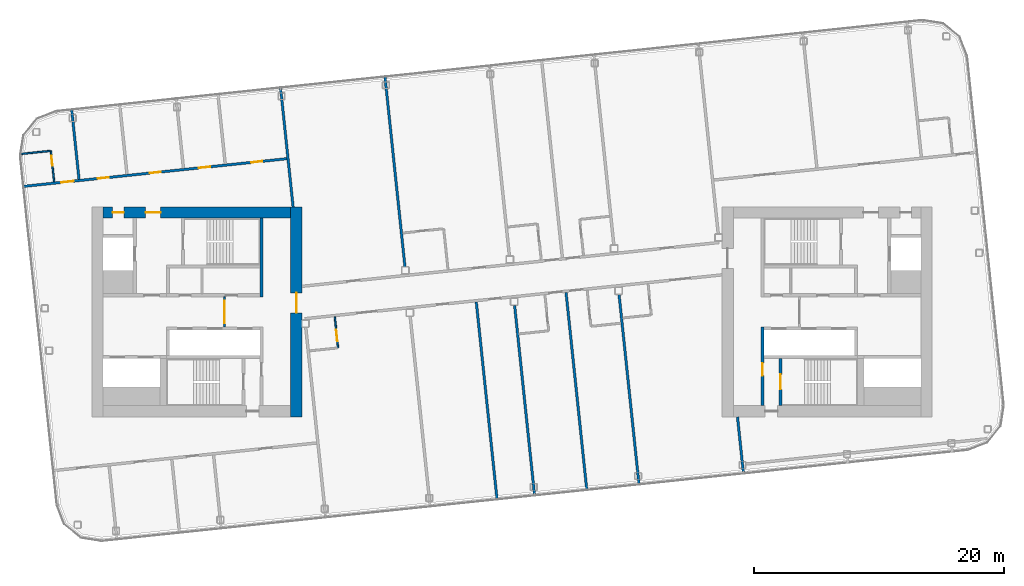
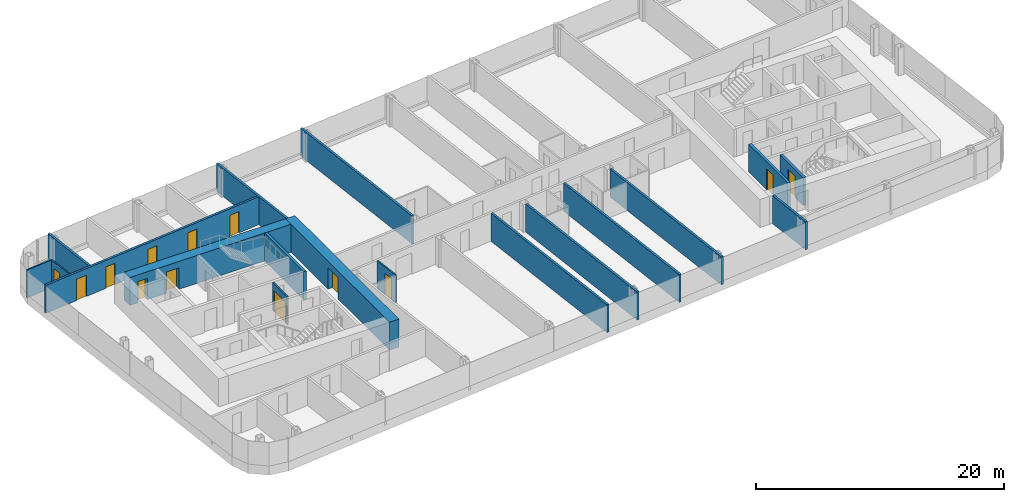
# One storey, part 15 of 27: 18 walls, 13 doors, 13 openings.
"""IFC4 building model written with IfcOpenShell, lengths in metres."""

from ifc_helpers import new_model, si_unit, direction, frame, frame_2d, origin, place, context, subcontext, project, spatial, rectangle, extrude, material, layer, layer_set, type_object, element, fill, save


model = new_model("IFC4")

# Units and contexts
model_context = context("Model", 3, precision=1e-05, world=origin(), true_north=direction((0.0, 1.0)))
body_context = subcontext(model_context, "Body", "Model", "MODEL_VIEW")
ifc_project = project(units=[si_unit("LENGTHUNIT", "METRE"), si_unit("AREAUNIT", "SQUARE_METRE"), si_unit("VOLUMEUNIT", "CUBIC_METRE"), si_unit("PLANEANGLEUNIT", "RADIAN"), si_unit("MASSUNIT", "GRAM", prefix="KILO")], contexts=[model_context])

# Site, building, storey
site_placement = place(None, origin())
site = spatial("IfcSite", under=ifc_project, at=site_placement, CompositionType="ELEMENT")
building_placement = place(site_placement, origin())
building = spatial("IfcBuilding", under=site, at=building_placement, Name="Hakoniwa Tower and Hamabe Station Hall", CompositionType="ELEMENT")
storey_placement = place(building_placement, frame((0.0, 0.0, 248.60009765625)))
storey = spatial("IfcBuildingStorey", under=building, at=storey_placement, Name="L70", CompositionType="ELEMENT", Elevation=248.60009765625)

# Wall
ifc_material_1 = material(Name="Gypsum board partition", Category="gypsum")
ifc_layer_1 = layer(ifc_material_1, 0.125)
ifc_layer_set_1 = layer_set([ifc_layer_1], Name="Bathroom Partition 125")
wall_type_1 = type_object("IfcWallType", Name="Bathroom Partition 125", PredefinedType="PARTITIONING", material=ifc_layer_set_1)
wall_1_placement = place(storey_placement, frame((-39.336181640625, 12.62353515625, 0.0), z_axis=(0.0, 0.0, 1.0), x_axis=(0.994528281662, 0.104467683877, 0.0)))
element("IfcWall", 1, at=wall_1_placement, inside=storey, type_object=wall_type_1, Name="GW-L70-015", PredefinedType="PARTITIONING", context=body_context, shape_type="SweptSolid", body=[
    extrude(rectangle(XDim=2.400146484375, YDim=0.125, at=frame_2d((1.2001953125, 0.0))), origin(), (0.0, 0.0, 1.0), 2.75),
])

# Wall, opening, door
wall_2_placement = place(storey_placement, frame((-36.625732421875, 10.39453125, 0.0), z_axis=(0.0, 0.0, 1.0), x_axis=(-0.104588199498, 0.994515615024, 0.0)))
wall_2 = element("IfcWall", 2, at=wall_2_placement, inside=storey, type_object=wall_type_1, Name="GW-L70-016", PredefinedType="PARTITIONING", context=body_context, shape_type="SweptSolid", body=[
    extrude(rectangle(XDim=2.5, YDim=0.125, at=frame_2d((1.25, 0.0))), origin(), (0.0, 0.0, 1.0), 2.75),
])
opening_1_placement = place(wall_2_placement, frame((1.300048828125, 0.0, 0.0)))
opening_1 = element("IfcOpeningElement", 3, at=opening_1_placement, cuts=wall_2, Name="Opening GD-G5D0-25", PredefinedType="OPENING", context=body_context, shape_type="SweptSolid", body=[
    extrude(rectangle(XDim=0.800048828125, YDim=2.10009765625, at=frame_2d((0.39990234375, 1.050048828125))), frame((0.0, 0.072509765625, 0.0), z_axis=(0.0, -1.0, 0.0), x_axis=(1.0, 0.0, 0.0)), (0.0, 0.0, 1.0), 0.14501953125),
])
ifc_material_2 = material(Name="Timber door leaf", Category="wood")
door_type_1 = type_object("IfcDoorType", Name="Bathroom Door 800", OperationType="SINGLE_SWING_LEFT", PredefinedType="DOOR", material=ifc_material_2)
door_1_placement = place(opening_1_placement, origin())
door_1 = element("IfcDoor", 4, at=door_1_placement, inside=storey, type_object=door_type_1, Name="Door GD-G5D0-25", OperationType="SINGLE_SWING_LEFT", OverallHeight=2.10009765625, OverallWidth=0.800048828125, PredefinedType="DOOR", context=body_context, shape_type="SweptSolid", body=[
    extrude(rectangle(XDim=0.800048828125, YDim=2.10009765625, at=frame_2d((0.39990234375, 1.050048828125))), frame((0.0, 0.02490234375, 0.0), z_axis=(0.0, -1.0, 0.0), x_axis=(1.0, 0.0, 0.0)), (0.0, 0.0, 1.0), 0.050048828125),
])
fill(opening_1, door_1)

ifc_material_3 = material(Name="Gypsum board partition")
ifc_layer_2 = layer(ifc_material_3, 0.14990234375)
ifc_layer_set_2 = layer_set([ifc_layer_2], Name="CORE PARTITION 150 EI 60")
wall_type_2 = type_object("IfcWallType", Name="CORE PARTITION 150 EI 60", PredefinedType="PARTITIONING", material=ifc_layer_set_2)
wall_3_placement = place(storey_placement, frame((-23.0, -1.199951171875, 0.0), z_axis=(0.0, 0.0, 1.0), x_axis=(0.0, 1.0, 0.0)))
wall_3 = element("IfcWall", 5, at=wall_3_placement, inside=storey, type_object=wall_type_2, Name="Core partition PL0 west", PredefinedType="PARTITIONING", context=body_context, shape_type="SweptSolid", body=[
    extrude(rectangle(XDim=2.39990234375, YDim=0.14990234375, at=frame_2d((1.199951171875, 0.0))), origin(), (0.0, 0.0, 1.0), 2.75),
])
opening_2_placement = place(wall_3_placement, frame((0.300048828125, 0.0, 0.0)))
opening_2 = element("IfcOpeningElement", 6, at=opening_2_placement, cuts=wall_3, Name="Opening CD-W-LP0-18", PredefinedType="OPENING", context=body_context, shape_type="SweptSolid", body=[
    extrude(rectangle(XDim=1.800048828125, YDim=2.10009765625, at=frame_2d((0.89990234375, 1.050048828125))), frame((0.0, 0.0849609375, 0.0), z_axis=(0.0, -1.0, 0.0), x_axis=(1.0, 0.0, 0.0)), (0.0, 0.0, 1.0), 0.169921875),
])
ifc_material_4 = material(Name="Steel fire door", Category="steel")
door_type_2 = type_object("IfcDoorType", Name="CORE DOOR 1800 FD60", OperationType="DOUBLE_DOOR_SINGLE_SWING", PredefinedType="DOOR", material=ifc_material_4)
door_2_placement = place(opening_2_placement, origin())
door_2 = element("IfcDoor", 7, at=door_2_placement, inside=storey, type_object=door_type_2, Name="Lift lobby partition door", OperationType="DOUBLE_DOOR_SINGLE_SWING", OverallHeight=2.10009765625, OverallWidth=1.800048828125, PredefinedType="DOOR", context=body_context, shape_type="SweptSolid", body=[
    extrude(rectangle(XDim=1.800048828125, YDim=2.10009765625, at=frame_2d((0.89990234375, 1.050048828125))), frame((0.0, 0.02490234375, 0.0), z_axis=(0.0, -1.0, 0.0), x_axis=(1.0, 0.0, 0.0)), (0.0, 0.0, 1.0), 0.050048828125),
])
fill(opening_2, door_2)

ifc_material_5 = material(Name="Concrete C60", Category="concrete")
ifc_layer_3 = layer(ifc_material_5, 0.89990234375)
ifc_layer_set_3 = layer_set([ifc_layer_3], Name="CORE WALL 900 C60")
wall_type_3 = type_object("IfcWallType", Name="CORE WALL 900 C60", PredefinedType="SHEAR", material=ifc_layer_set_3)
wall_4_placement = place(storey_placement, frame((-17.25, -8.39990234375, 0.0), z_axis=(0.0, 0.0, 1.0), x_axis=(0.0, 1.0, 0.0)))
wall_4 = element("IfcWall", 8, at=wall_4_placement, inside=storey, type_object=wall_type_3, Name="Core wall INNER west", PredefinedType="SHEAR", context=body_context, shape_type="SweptSolid", body=[
    extrude(rectangle(XDim=16.7998046875, YDim=0.89990234375, at=frame_2d((8.39990234375, 0.0))), origin(), (0.0, 0.0, 1.0), 2.75),
])
opening_3_placement = place(wall_4_placement, frame((8.321044921875, 0.0, 0.0)))
opening_3 = element("IfcOpeningElement", 9, at=opening_3_placement, cuts=wall_4, Name="Opening CD-W-IN1-16", PredefinedType="OPENING", context=body_context, shape_type="SweptSolid", body=[
    extrude(rectangle(XDim=1.60009765625, YDim=2.10009765625, at=frame_2d((0.800048828125, 1.050048828125))), frame((0.0, 0.4599609375, 0.0), z_axis=(0.0, -1.0, 0.0), x_axis=(1.0, 0.0, 0.0)), (0.0, 0.0, 1.0), 0.919921875),
])
ifc_material_6 = material(Name="Steel fire door", Category="steel")
door_type_3 = type_object("IfcDoorType", Name="CORE DOOR 1600 FD60", OperationType="DOUBLE_DOOR_SINGLE_SWING", PredefinedType="DOOR", material=ifc_material_6)
door_3_placement = place(opening_3_placement, origin())
door_3 = element("IfcDoor", 10, at=door_3_placement, inside=storey, type_object=door_type_3, Name="Lift lobby door", OperationType="DOUBLE_DOOR_SINGLE_SWING", OverallHeight=2.10009765625, OverallWidth=1.60009765625, PredefinedType="DOOR", context=body_context, shape_type="SweptSolid", body=[
    extrude(rectangle(XDim=1.60009765625, YDim=2.10009765625, at=frame_2d((0.800048828125, 1.050048828125))), frame((0.0, 0.02490234375, 0.0), z_axis=(0.0, -1.0, 0.0), x_axis=(1.0, 0.0, 0.0)), (0.0, 0.0, 1.0), 0.050048828125),
])
fill(opening_3, door_3)

# Wall, openings, doors
wall_5_placement = place(storey_placement, frame((-32.699951171875, 7.949951171875, 0.0), z_axis=(0.0, 0.0, 1.0), x_axis=(1.0, 0.0, 0.0)))
wall_5 = element("IfcWall", 11, at=wall_5_placement, inside=storey, type_object=wall_type_3, Name="Core wall NORTH west", PredefinedType="SHEAR", context=body_context, shape_type="SweptSolid", body=[
    extrude(rectangle(XDim=15.0, YDim=0.89990234375, at=frame_2d((7.5, 0.0))), origin(), (0.0, 0.0, 1.0), 2.75),
])
opening_4_placement = place(wall_5_placement, frame((3.39990234375, 0.0, 0.0)))
opening_4 = element("IfcOpeningElement", 12, at=opening_4_placement, cuts=wall_5, Name="Opening CD-W-FN1-12", PredefinedType="OPENING", context=body_context, shape_type="SweptSolid", body=[
    extrude(rectangle(XDim=1.199951171875, YDim=2.10009765625, at=frame_2d((0.60009765625, 1.050048828125))), frame((0.0, 0.4599609375, 0.0), z_axis=(0.0, -1.0, 0.0), x_axis=(1.0, 0.0, 0.0)), (0.0, 0.0, 1.0), 0.919921875),
])
opening_5_placement = place(wall_5_placement, frame((0.75, 0.0, 0.0)))
opening_5 = element("IfcOpeningElement", 13, at=opening_5_placement, cuts=wall_5, Name="Opening CD-W-FN2-9", PredefinedType="OPENING", context=body_context, shape_type="SweptSolid", body=[
    extrude(rectangle(XDim=0.89990234375, YDim=2.10009765625, at=frame_2d((0.449951171875, 1.050048828125))), frame((0.0, 0.4599609375, 0.0), z_axis=(0.0, -1.0, 0.0), x_axis=(1.0, 0.0, 0.0)), (0.0, 0.0, 1.0), 0.919921875),
])
ifc_material_7 = material(Name="Steel fire door", Category="steel")
door_type_4 = type_object("IfcDoorType", Name="CORE DOOR 1200 FD60", OperationType="DOUBLE_DOOR_SINGLE_SWING", PredefinedType="DOOR", material=ifc_material_7)
door_4_placement = place(opening_4_placement, origin())
door_4 = element("IfcDoor", 14, at=door_4_placement, inside=storey, type_object=door_type_4, Name="Stair vestibule door to the fire-fighting lobby", OperationType="DOUBLE_DOOR_SINGLE_SWING", OverallHeight=2.10009765625, OverallWidth=1.199951171875, PredefinedType="DOOR", context=body_context, shape_type="SweptSolid", body=[
    extrude(rectangle(XDim=1.199951171875, YDim=2.10009765625, at=frame_2d((0.60009765625, 1.050048828125))), frame((0.0, 0.02490234375, 0.0), z_axis=(0.0, -1.0, 0.0), x_axis=(1.0, 0.0, 0.0)), (0.0, 0.0, 1.0), 0.050048828125),
])
fill(opening_4, door_4)
ifc_material_8 = material(Name="Steel fire door", Category="steel")
door_type_5 = type_object("IfcDoorType", Name="CORE DOOR 900 FD30", OperationType="NOTDEFINED", PredefinedType="DOOR", material=ifc_material_8)
door_5_placement = place(opening_5_placement, origin())
door_5 = element("IfcDoor", 15, at=door_5_placement, inside=storey, type_object=door_type_5, Name="Riser access door", OperationType="SINGLE_SWING_LEFT", OverallHeight=2.10009765625, OverallWidth=0.89990234375, PredefinedType="DOOR", context=body_context, shape_type="SweptSolid", body=[
    extrude(rectangle(XDim=0.89990234375, YDim=2.10009765625, at=frame_2d((0.449951171875, 1.050048828125))), frame((0.0, 0.02490234375, 0.0), z_axis=(0.0, -1.0, 0.0), x_axis=(1.0, 0.0, 0.0)), (0.0, 0.0, 1.0), 0.050048828125),
])
fill(opening_5, door_5)

# Wall
ifc_material_9 = material(Name="Concrete C60", Category="concrete")
ifc_layer_4 = layer(ifc_material_9, 0.25)
ifc_layer_set_4 = layer_set([ifc_layer_4], Name="CORE WEB WALL 250 C60")
wall_type_4 = type_object("IfcWallType", Name="CORE WEB WALL 250 C60", PredefinedType="SHEAR", material=ifc_layer_set_4)
wall_6_placement = place(storey_placement, frame((-20.02490234375, 1.199951171875, 0.0), z_axis=(0.0, 0.0, 1.0), x_axis=(0.0, 1.0, 0.0)))
element("IfcWall", 16, at=wall_6_placement, inside=storey, type_object=wall_type_4, Name="Core wall W1N west", PredefinedType="SHEAR", context=body_context, shape_type="SweptSolid", body=[
    extrude(rectangle(XDim=6.300048828125, YDim=0.25, at=frame_2d((3.14990234375, 0.0))), origin(), (0.0, 0.0, 1.0), 2.75),
])

# Wall, opening, door
wall_7_placement = place(storey_placement, frame((20.02490234375, -7.5, 0.0), z_axis=(0.0, 0.0, 1.0), x_axis=(0.0, 1.0, 0.0)))
wall_7 = element("IfcWall", 17, at=wall_7_placement, inside=storey, type_object=wall_type_4, Name="Core wall W1S east", PredefinedType="SHEAR", context=body_context, shape_type="SweptSolid", body=[
    extrude(rectangle(XDim=6.300048828125, YDim=0.25, at=frame_2d((3.14990234375, 0.0))), origin(), (0.0, 0.0, 1.0), 2.75),
])
opening_6_placement = place(wall_7_placement, frame((2.39990234375, 0.0, 0.0)))
opening_6 = element("IfcOpeningElement", 18, at=opening_6_placement, cuts=wall_7, Name="Opening CD-E-VS-10", PredefinedType="OPENING", context=body_context, shape_type="SweptSolid", body=[
    extrude(rectangle(XDim=1.0, YDim=2.10009765625, at=frame_2d((0.5, 1.050048828125))), frame((0.0, 0.135009765625, 0.0), z_axis=(0.0, -1.0, 0.0), x_axis=(1.0, 0.0, 0.0)), (0.0, 0.0, 1.0), 0.27001953125),
])
ifc_material_10 = material(Name="Steel fire door", Category="steel")
door_type_6 = type_object("IfcDoorType", Name="CORE DOOR 1000 FD60", OperationType="NOTDEFINED", PredefinedType="DOOR", material=ifc_material_10)
door_6_placement = place(opening_6_placement, origin())
door_6 = element("IfcDoor", 19, at=door_6_placement, inside=storey, type_object=door_type_6, Name="Stair vestibule door", OperationType="SINGLE_SWING_RIGHT", OverallHeight=2.10009765625, OverallWidth=1.0, PredefinedType="DOOR", context=body_context, shape_type="SweptSolid", body=[
    extrude(rectangle(XDim=1.0, YDim=2.10009765625, at=frame_2d((0.5, 1.050048828125))), frame((0.0, 0.02490234375, 0.0), z_axis=(0.0, -1.0, 0.0), x_axis=(1.0, 0.0, 0.0)), (0.0, 0.0, 1.0), 0.050048828125),
])
fill(opening_6, door_6)

wall_8_placement = place(storey_placement, frame((21.47509765625, -7.5, 0.0), z_axis=(0.0, 0.0, 1.0), x_axis=(0.0, 1.0, 0.0)))
wall_8 = element("IfcWall", 20, at=wall_8_placement, inside=storey, type_object=wall_type_4, Name="Core wall VE east", PredefinedType="SHEAR", context=body_context, shape_type="SweptSolid", body=[
    extrude(rectangle(XDim=3.75, YDim=0.25, at=frame_2d((1.875, 0.0))), origin(), (0.0, 0.0, 1.0), 2.75),
])
opening_7_placement = place(wall_8_placement, frame((1.300048828125, 0.0, 0.0)))
opening_7 = element("IfcOpeningElement", 21, at=opening_7_placement, cuts=wall_8, Name="Opening CD-E-SS-12", PredefinedType="OPENING", context=body_context, shape_type="SweptSolid", body=[
    extrude(rectangle(XDim=1.199951171875, YDim=2.10009765625, at=frame_2d((0.60009765625, 1.050048828125))), frame((0.0, 0.135009765625, 0.0), z_axis=(0.0, -1.0, 0.0), x_axis=(1.0, 0.0, 0.0)), (0.0, 0.0, 1.0), 0.27001953125),
])
door_7_placement = place(opening_7_placement, origin())
door_7 = element("IfcDoor", 22, at=door_7_placement, inside=storey, type_object=door_type_4, Name="Escape stair door", OperationType="DOUBLE_DOOR_SINGLE_SWING", OverallHeight=2.10009765625, OverallWidth=1.199951171875, PredefinedType="DOOR", context=body_context, shape_type="SweptSolid", body=[
    extrude(rectangle(XDim=1.199951171875, YDim=2.10009765625, at=frame_2d((0.60009765625, 1.050048828125))), frame((0.0, 0.02490234375, 0.0), z_axis=(0.0, -1.0, 0.0), x_axis=(1.0, 0.0, 0.0)), (0.0, 0.0, 1.0), 0.050048828125),
])
fill(opening_7, door_7)

# Wall, openings, doors
ifc_material_11 = material(Name="Fire-rated gypsum board partition", Category="gypsum")
ifc_layer_5 = layer(ifc_material_11, 0.199951171875)
ifc_layer_set_5 = layer_set([ifc_layer_5], Name="Corridor Wall 200")
wall_type_5 = type_object("IfcWallType", Name="Corridor Wall 200", PredefinedType="PARTITIONING", material=ifc_layer_set_5)
wall_9_placement = place(storey_placement, frame((-39.101806640625, 10.033935546875, 0.0), z_axis=(0.0, 0.0, 1.0), x_axis=(0.994522585465, 0.104521897229, 0.0)))
wall_9 = element("IfcWall", 23, at=wall_9_placement, inside=storey, type_object=wall_type_5, Name="GW-L70-014", PredefinedType="PARTITIONING", context=body_context, shape_type="SweptSolid", body=[
    extrude(rectangle(XDim=21.300048828125, YDim=0.199951171875, at=frame_2d((10.64990234375, 0.0))), origin(), (0.0, 0.0, 1.0), 2.75),
])
opening_8_placement = place(wall_9_placement, frame((3.050048828125, 0.0, 0.0)))
opening_8 = element("IfcOpeningElement", 24, at=opening_8_placement, cuts=wall_9, Name="Opening GD-G5D0-20", PredefinedType="OPENING", context=body_context, shape_type="SweptSolid", body=[
    extrude(rectangle(XDim=1.0, YDim=2.10009765625, at=frame_2d((0.5, 1.050048828125))), frame((0.0, 0.10986328125, 0.0), z_axis=(0.0, -1.0, 0.0), x_axis=(1.0, 0.0, 0.0)), (0.0, 0.0, 1.0), 0.219970703125),
])
opening_9_placement = place(wall_9_placement, frame((5.97998046875, 0.0, 0.0)))
opening_9 = element("IfcOpeningElement", 25, at=opening_9_placement, cuts=wall_9, Name="Opening GD-G5D0-21", PredefinedType="OPENING", context=body_context, shape_type="SweptSolid", body=[
    extrude(rectangle(XDim=0.89990234375, YDim=2.10009765625, at=frame_2d((0.449951171875, 1.050048828125))), frame((0.0, 0.10986328125, 0.0), z_axis=(0.0, -1.0, 0.0), x_axis=(1.0, 0.0, 0.0)), (0.0, 0.0, 1.0), 0.219970703125),
])
opening_10_placement = place(wall_9_placement, frame((10.179931640625, 0.0, 0.0)))
opening_10 = element("IfcOpeningElement", 26, at=opening_10_placement, cuts=wall_9, Name="Opening GD-G5D0-22", PredefinedType="OPENING", context=body_context, shape_type="SweptSolid", body=[
    extrude(rectangle(XDim=0.89990234375, YDim=2.10009765625, at=frame_2d((0.449951171875, 1.050048828125))), frame((0.0, 0.10986328125, 0.0), z_axis=(0.0, -1.0, 0.0), x_axis=(1.0, 0.0, 0.0)), (0.0, 0.0, 1.0), 0.219970703125),
])
opening_11_placement = place(wall_9_placement, frame((14.1298828125, 0.0, 0.0)))
opening_11 = element("IfcOpeningElement", 27, at=opening_11_placement, cuts=wall_9, Name="Opening GD-G5D0-23", PredefinedType="OPENING", context=body_context, shape_type="SweptSolid", body=[
    extrude(rectangle(XDim=0.89990234375, YDim=2.10009765625, at=frame_2d((0.449951171875, 1.050048828125))), frame((0.0, 0.10986328125, 0.0), z_axis=(0.0, -1.0, 0.0), x_axis=(1.0, 0.0, 0.0)), (0.0, 0.0, 1.0), 0.219970703125),
])
opening_12_placement = place(wall_9_placement, frame((18.330078125, 0.0, 0.0)))
opening_12 = element("IfcOpeningElement", 28, at=opening_12_placement, cuts=wall_9, Name="Opening GD-G5D0-24", PredefinedType="OPENING", context=body_context, shape_type="SweptSolid", body=[
    extrude(rectangle(XDim=0.89990234375, YDim=2.10009765625, at=frame_2d((0.449951171875, 1.050048828125))), frame((0.0, 0.10986328125, 0.0), z_axis=(0.0, -1.0, 0.0), x_axis=(1.0, 0.0, 0.0)), (0.0, 0.0, 1.0), 0.219970703125),
])
ifc_material_12 = material(Name="Timber door leaf", Category="wood")
door_type_7 = type_object("IfcDoorType", Name="Guest Entrance Door 1000", OperationType="SINGLE_SWING_LEFT", PredefinedType="DOOR", material=ifc_material_12)
door_8_placement = place(opening_8_placement, origin())
door_8 = element("IfcDoor", 29, at=door_8_placement, inside=storey, type_object=door_type_7, Name="Door GD-G5D0-20", OperationType="SINGLE_SWING_LEFT", OverallHeight=2.10009765625, OverallWidth=1.0, PredefinedType="DOOR", context=body_context, shape_type="SweptSolid", body=[
    extrude(rectangle(XDim=1.0, YDim=2.10009765625, at=frame_2d((0.5, 1.050048828125))), frame((0.0, 0.02490234375, 0.0), z_axis=(0.0, -1.0, 0.0), x_axis=(1.0, 0.0, 0.0)), (0.0, 0.0, 1.0), 0.050048828125),
])
fill(opening_8, door_8)
ifc_material_13 = material(Name="Timber door leaf", Category="wood")
door_type_8 = type_object("IfcDoorType", Name="Service Door 900", OperationType="SINGLE_SWING_LEFT", PredefinedType="DOOR", material=ifc_material_13)
door_9_placement = place(opening_9_placement, origin())
door_9 = element("IfcDoor", 30, at=door_9_placement, inside=storey, type_object=door_type_8, Name="Door GD-G5D0-21", OperationType="SINGLE_SWING_LEFT", OverallHeight=2.10009765625, OverallWidth=0.89990234375, PredefinedType="DOOR", context=body_context, shape_type="SweptSolid", body=[
    extrude(rectangle(XDim=0.89990234375, YDim=2.10009765625, at=frame_2d((0.449951171875, 1.050048828125))), frame((0.0, 0.02490234375, 0.0), z_axis=(0.0, -1.0, 0.0), x_axis=(1.0, 0.0, 0.0)), (0.0, 0.0, 1.0), 0.050048828125),
])
fill(opening_9, door_9)
door_10_placement = place(opening_10_placement, origin())
door_10 = element("IfcDoor", 31, at=door_10_placement, inside=storey, type_object=door_type_8, Name="Door GD-G5D0-22", OperationType="SINGLE_SWING_RIGHT", OverallHeight=2.10009765625, OverallWidth=0.89990234375, PredefinedType="DOOR", context=body_context, shape_type="SweptSolid", body=[
    extrude(rectangle(XDim=0.89990234375, YDim=2.10009765625, at=frame_2d((0.449951171875, 1.050048828125))), frame((0.0, 0.02490234375, 0.0), z_axis=(0.0, -1.0, 0.0), x_axis=(1.0, 0.0, 0.0)), (0.0, 0.0, 1.0), 0.050048828125),
])
fill(opening_10, door_10)
door_11_placement = place(opening_11_placement, origin())
door_11 = element("IfcDoor", 32, at=door_11_placement, inside=storey, type_object=door_type_8, Name="Door GD-G5D0-23", OperationType="SINGLE_SWING_LEFT", OverallHeight=2.10009765625, OverallWidth=0.89990234375, PredefinedType="DOOR", context=body_context, shape_type="SweptSolid", body=[
    extrude(rectangle(XDim=0.89990234375, YDim=2.10009765625, at=frame_2d((0.449951171875, 1.050048828125))), frame((0.0, 0.02490234375, 0.0), z_axis=(0.0, -1.0, 0.0), x_axis=(1.0, 0.0, 0.0)), (0.0, 0.0, 1.0), 0.050048828125),
])
fill(opening_11, door_11)
door_12_placement = place(opening_12_placement, origin())
door_12 = element("IfcDoor", 33, at=door_12_placement, inside=storey, type_object=door_type_8, Name="Door GD-G5D0-24", OperationType="SINGLE_SWING_RIGHT", OverallHeight=2.10009765625, OverallWidth=0.89990234375, PredefinedType="DOOR", context=body_context, shape_type="SweptSolid", body=[
    extrude(rectangle(XDim=0.89990234375, YDim=2.10009765625, at=frame_2d((0.449951171875, 1.050048828125))), frame((0.0, 0.02490234375, 0.0), z_axis=(0.0, -1.0, 0.0), x_axis=(1.0, 0.0, 0.0)), (0.0, 0.0, 1.0), 0.050048828125),
])
fill(opening_12, door_12)

# Walls
ifc_material_14 = material(Name="Fire-rated gypsum board partition", Category="gypsum")
ifc_layer_6 = layer(ifc_material_14, 0.199951171875)
ifc_layer_set_6 = layer_set([ifc_layer_6], Name="Party Wall 200")
wall_type_6 = type_object("IfcWallType", Name="Party Wall 200", PredefinedType="PARTITIONING", material=ifc_layer_set_6)
wall_10_placement = place(storey_placement, frame((-34.63671875, 10.603759765625, 0.0), z_axis=(0.0, 0.0, 1.0), x_axis=(-0.104560413987, 0.994518536693, 0.0)))
element("IfcWall", 34, at=wall_10_placement, inside=storey, type_object=wall_type_6, Name="GW-L70-018", PredefinedType="PARTITIONING", context=body_context, shape_type="SweptSolid", body=[
    extrude(rectangle(XDim=5.6201171875, YDim=0.199951171875, at=frame_2d((2.81005859375, 0.0))), origin(), (0.0, 0.0, 1.0), 2.75),
])
wall_11_placement = place(storey_placement, frame((-17.51220703125, 8.39501953125, 0.0), z_axis=(0.0, 0.0, 1.0), x_axis=(-0.104524714473, 0.994522289375, 0.0)))
element("IfcWall", 35, at=wall_11_placement, inside=storey, type_object=wall_type_6, Name="GW-L70-025", PredefinedType="PARTITIONING", context=body_context, shape_type="SweptSolid", body=[
    extrude(rectangle(XDim=9.60693359375, YDim=0.199951171875, at=frame_2d((4.803466796875, 0.0))), origin(), (0.0, 0.0, 1.0), 2.75),
])
wall_12_placement = place(storey_placement, frame((-8.562255859375, 3.6025390625, 0.0), z_axis=(0.0, 0.0, 1.0), x_axis=(-0.104523729364, 0.99452239291, 0.0)))
element("IfcWall", 36, at=wall_12_placement, inside=storey, type_object=wall_type_6, Name="GW-L70-028", PredefinedType="PARTITIONING", context=body_context, shape_type="SweptSolid", body=[
    extrude(rectangle(XDim=15.308349609375, YDim=0.199951171875, at=frame_2d((7.654296875, 0.0))), origin(), (0.0, 0.0, 1.0), 2.75),
])
wall_13_placement = place(storey_placement, frame((-1.195068359375, -15.02099609375, 0.0), z_axis=(0.0, 0.0, 1.0), x_axis=(-0.104534518003, 0.994521258971, 0.0)))
element("IfcWall", 37, at=wall_13_placement, inside=storey, type_object=wall_type_6, Name="GW-L70-030", PredefinedType="PARTITIONING", context=body_context, shape_type="SweptSolid", body=[
    extrude(rectangle(XDim=15.900146484375, YDim=0.199951171875, at=frame_2d((7.9501953125, 0.0))), origin(), (0.0, 0.0, 1.0), 2.75),
])
wall_14_placement = place(storey_placement, frame((1.808349609375, -14.705322265625, 0.0), z_axis=(0.0, 0.0, 1.0), x_axis=(-0.104523729364, 0.99452239291, 0.0)))
element("IfcWall", 38, at=wall_14_placement, inside=storey, type_object=wall_type_6, Name="GW-L70-031", PredefinedType="PARTITIONING", context=body_context, shape_type="SweptSolid", body=[
    extrude(rectangle(XDim=15.308349609375, YDim=0.199951171875, at=frame_2d((7.654296875, 0.0))), origin(), (0.0, 0.0, 1.0), 2.75),
])
wall_15_placement = place(storey_placement, frame((5.9853515625, -14.26611328125, 0.0), z_axis=(0.0, 0.0, 1.0), x_axis=(-0.104536114326, 0.99452109118, 0.0)))
element("IfcWall", 39, at=wall_15_placement, inside=storey, type_object=wall_type_6, Name="GW-L70-035", PredefinedType="PARTITIONING", context=body_context, shape_type="SweptSolid", body=[
    extrude(rectangle(XDim=15.89990234375, YDim=0.199951171875, at=frame_2d((7.949951171875, 0.0))), origin(), (0.0, 0.0, 1.0), 2.75),
])
wall_16_placement = place(storey_placement, frame((10.162353515625, -13.8271484375, 0.0), z_axis=(0.0, 0.0, 1.0), x_axis=(-0.104523729364, 0.99452239291, 0.0)))
element("IfcWall", 40, at=wall_16_placement, inside=storey, type_object=wall_type_6, Name="GW-L70-039", PredefinedType="PARTITIONING", context=body_context, shape_type="SweptSolid", body=[
    extrude(rectangle(XDim=15.308349609375, YDim=0.199951171875, at=frame_2d((7.654296875, 0.0))), origin(), (0.0, 0.0, 1.0), 2.75),
])
wall_17_placement = place(storey_placement, frame((18.516357421875, -12.94921875, 0.0), z_axis=(0.0, 0.0, 1.0), x_axis=(-0.104548796268, 0.994519758074, 0.0)))
element("IfcWall", 41, at=wall_17_placement, inside=storey, type_object=wall_type_6, Name="GW-L70-042", PredefinedType="PARTITIONING", context=body_context, shape_type="SweptSolid", body=[
    extrude(rectangle(XDim=4.579345703125, YDim=0.199951171875, at=frame_2d((2.28955078125, 0.0))), origin(), (0.0, 0.0, 1.0), 2.75),
])

# Wall, opening, door
ifc_material_15 = material(Name="Gypsum board partition", Category="gypsum")
ifc_layer_7 = layer(ifc_material_15, 0.125)
ifc_layer_set_7 = layer_set([ifc_layer_7], Name="Room Partition 125")
wall_type_7 = type_object("IfcWallType", Name="Room Partition 125", PredefinedType="PARTITIONING", material=ifc_layer_set_7)
wall_18_placement = place(storey_placement, frame((-13.91357421875, -2.8837890625, 0.0), z_axis=(0.0, 0.0, 1.0), x_axis=(-0.104491611519, 0.994525767953, 0.0)))
wall_18 = element("IfcWall", 42, at=wall_18_placement, inside=storey, type_object=wall_type_7, Name="GW-L70-026", PredefinedType="PARTITIONING", context=body_context, shape_type="SweptSolid", body=[
    extrude(rectangle(XDim=2.5, YDim=0.125, at=frame_2d((1.25, 0.0))), origin(), (0.0, 0.0, 1.0), 2.75),
])
opening_13_placement = place(wall_18_placement, frame((0.550048828125, 0.0, 0.0)))
opening_13 = element("IfcOpeningElement", 43, at=opening_13_placement, cuts=wall_18, Name="Opening GD-G5D0-26", PredefinedType="OPENING", context=body_context, shape_type="SweptSolid", body=[
    extrude(rectangle(XDim=0.89990234375, YDim=2.10009765625, at=frame_2d((0.449951171875, 1.050048828125))), frame((0.0, 0.072509765625, 0.0), z_axis=(0.0, -1.0, 0.0), x_axis=(1.0, 0.0, 0.0)), (0.0, 0.0, 1.0), 0.14501953125),
])
ifc_material_16 = material(Name="Timber door leaf", Category="wood")
door_type_9 = type_object("IfcDoorType", Name="Suite Interior Door 900", OperationType="SINGLE_SWING_LEFT", PredefinedType="DOOR", material=ifc_material_16)
door_13_placement = place(opening_13_placement, origin())
door_13 = element("IfcDoor", 44, at=door_13_placement, inside=storey, type_object=door_type_9, Name="Door GD-G5D0-26", OperationType="SINGLE_SWING_RIGHT", OverallHeight=2.10009765625, OverallWidth=0.89990234375, PredefinedType="DOOR", context=body_context, shape_type="SweptSolid", body=[
    extrude(rectangle(XDim=0.89990234375, YDim=2.10009765625, at=frame_2d((0.449951171875, 1.050048828125))), frame((0.0, 0.02490234375, 0.0), z_axis=(0.0, -1.0, 0.0), x_axis=(1.0, 0.0, 0.0)), (0.0, 0.0, 1.0), 0.050048828125),
])
fill(opening_13, door_13)

save(model, "model.ifc")
